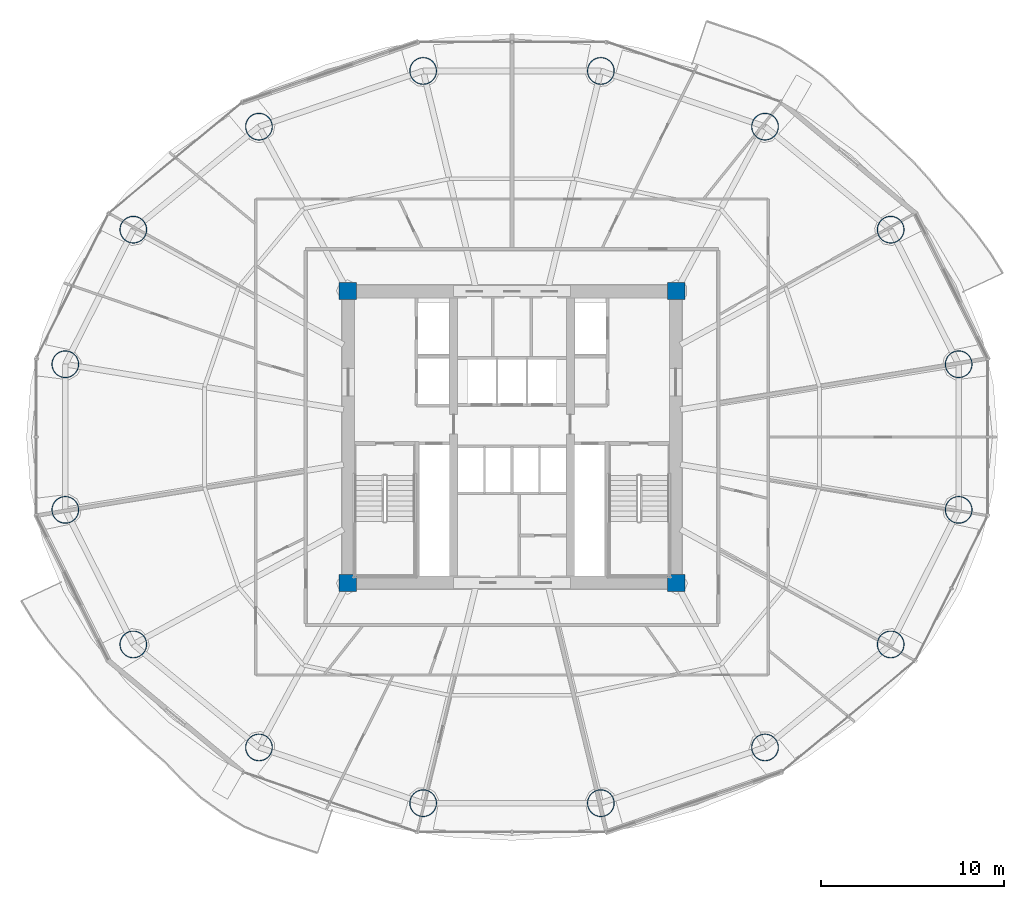
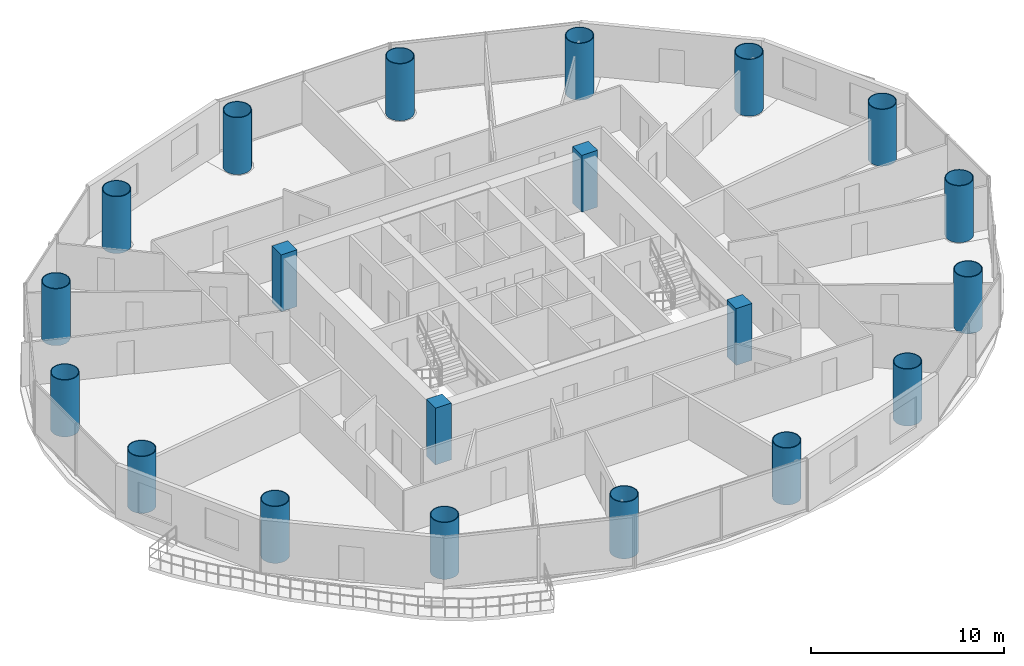
# One storey, part 1 of 29: 20 columns.
"""IFC4 building model written with IfcOpenShell, lengths in metres."""

from ifc_helpers import new_model, si_unit, direction, frame, origin, origin_2d, place, context, subcontext, project, spatial, rectangle, hollow_circle, extrude, material, material_profile, profile_set, type_object, element, save


model = new_model("IFC4")

# Units and contexts
model_context = context("Model", 3, precision=1e-05, world=origin(), true_north=direction((-0.2419218956, 0.970295726276)))
body_context = subcontext(model_context, "Body", "Model", "MODEL_VIEW")
ifc_project = project(units=[si_unit("LENGTHUNIT", "METRE"), si_unit("AREAUNIT", "SQUARE_METRE"), si_unit("VOLUMEUNIT", "CUBIC_METRE"), si_unit("PLANEANGLEUNIT", "RADIAN"), si_unit("MASSUNIT", "GRAM", prefix="KILO")], contexts=[model_context])

# Site, building, storey
site_placement = place(None, origin())
site = spatial("IfcSite", under=ifc_project, at=site_placement, CompositionType="ELEMENT")
building_placement = place(site_placement, origin())
building = spatial("IfcBuilding", under=site, at=building_placement, Name="Cobrevalo Terracotta Tower", CompositionType="ELEMENT")
storey_placement = place(building_placement, frame((0.0, 0.0, 87.0)))
storey = spatial("IfcBuildingStorey", under=building, at=storey_placement, Name="L22", CompositionType="ELEMENT", Elevation=87.0)

# Columns
ifc_material_1 = material(Name="Steel S355", Category="steel")
ifc_material_profile_1 = material_profile(ifc_material_1, hollow_circle(Radius=0.75, WallThickness=0.044921875, at=origin_2d()), Name="CHS 1500x45")
ifc_profile_set_1 = profile_set([ifc_material_profile_1], Name="Steel S355")
column_type_1 = type_object("IfcColumnType", Name="Structural Column CHS 1500x45 (Steel S355)", PredefinedType="COLUMN", material=ifc_profile_set_1)
for number, where, z_axis, x_axis, name in (
    (1, (62.470703125, 30.78955078125, 0.0), (0.0, 0.0, 1.0), (1.0, 0.0, 0.0), "L22 composite megacolumn MC01"),
    (2, (58.7451171875, 38.161376953125, 0.0), (0.0, 0.0, 1.0), (1.0, 0.0, 0.0), "L22 composite megacolumn MC02"),
    (3, (51.861572265625, 43.803466796875, 0.0), (0.0, 0.0, 1.0), (1.0, 0.0, 0.0), "L22 composite megacolumn MC03"),
    (4, (42.867431640625, 46.857177734375, 0.0), (0.0, 0.0, 1.0), (1.0, 0.0, 0.0), "L22 composite megacolumn MC04"),
    (5, (33.132568359375, 46.857177734375, 0.0), (0.0, 0.0, 1.0), (1.0, 0.0, 0.0), "L22 composite megacolumn MC05"),
    (6, (24.138427734375, 43.803466796875, 0.0), (0.0, 0.0, 1.0), (1.0, 0.0, 0.0), "L22 composite megacolumn MC06"),
    (7, (17.2548828125, 38.161376953125, 0.0), (0.0, 0.0, 1.0), (1.0, 0.0, 0.0), "L22 composite megacolumn MC07"),
    (8, (13.529296875, 30.78955078125, 0.0), (0.0, 0.0, 1.0), (1.0, 0.0, 0.0), "L22 composite megacolumn MC08"),
    (9, (13.529296875, 22.810302734375, 0.0), (0.0, 0.0, 1.0), (1.0, 0.0, 0.0), "L22 composite megacolumn MC09"),
    (10, (17.2548828125, 15.4384765625, 0.0), (0.0, 0.0, 1.0), (1.0, 0.0, 0.0), "L22 composite megacolumn MC10"),
    (11, (24.138427734375, 9.79638671875, 0.0), (0.0, 0.0, 1.0), (1.0, 0.0, 0.0), "L22 composite megacolumn MC11"),
    (12, (33.132568359375, 6.742919921875, 0.0), (0.0, 0.0, 1.0), (1.0, 0.0, 0.0), "L22 composite megacolumn MC12"),
    (13, (42.867431640625, 6.742919921875, 0.0), (0.0, 0.0, 1.0), (1.0, 0.0, 0.0), "L22 composite megacolumn MC13"),
    (14, (51.861572265625, 9.79638671875, 0.0), (0.0, 0.0, 1.0), (1.0, 0.0, 0.0), "L22 composite megacolumn MC14"),
    (15, (58.7451171875, 15.4384765625, 0.0), (0.0, 0.0, 1.0), (1.0, 0.0, 0.0), "L22 composite megacolumn MC15"),
    (16, (62.470703125, 22.810302734375, 0.0), (0.0, 0.0, 1.0), (1.0, 0.0, 0.0), "L22 composite megacolumn MC16"),
):
    element("IfcColumn", number, at=place(storey_placement, frame(where, z_axis=z_axis, x_axis=x_axis)), inside=storey, type_object=column_type_1, Name=name, PredefinedType="COLUMN", context=body_context, shape_type="SweptSolid", body=[
        extrude(hollow_circle(Radius=0.75, WallThickness=0.044921875, at=origin_2d()), origin(), (0.0, 0.0, 1.0), 3.60009765625),
    ])
ifc_material_2 = material(Name="Concrete C55", Category="concrete")
ifc_material_profile_2 = material_profile(ifc_material_2, rectangle(XDim=0.949951171875, YDim=0.949951171875, at=origin_2d()), Name="RC COL 950x950")
ifc_profile_set_2 = profile_set([ifc_material_profile_2], Name="Concrete C55")
column_type_2 = type_object("IfcColumnType", Name="Structural Column RC COL 950x950 (Concrete C55)", PredefinedType="COLUMN", material=ifc_profile_set_2)
for number, where, z_axis, x_axis, name in (
    (17, (29.0, 18.800048828125, 0.0), (0.0, 0.0, 1.0), (1.0, 0.0, 0.0), "L22 core corner column CC1"),
    (18, (47.0, 18.800048828125, 0.0), (0.0, 0.0, 1.0), (1.0, 0.0, 0.0), "L22 core corner column CC2"),
    (19, (47.0, 34.800048828125, 0.0), (0.0, 0.0, 1.0), (1.0, 0.0, 0.0), "L22 core corner column CC3"),
    (20, (29.0, 34.800048828125, 0.0), (0.0, 0.0, 1.0), (1.0, 0.0, 0.0), "L22 core corner column CC4"),
):
    element("IfcColumn", number, at=place(storey_placement, frame(where, z_axis=z_axis, x_axis=x_axis)), inside=storey, type_object=column_type_2, Name=name, PredefinedType="COLUMN", context=body_context, shape_type="SweptSolid", body=[
        extrude(rectangle(XDim=0.949951171875, YDim=0.949951171875, at=origin_2d()), origin(), (0.0, 0.0, 1.0), 3.60009765625),
    ])

save(model, "model.ifc")
